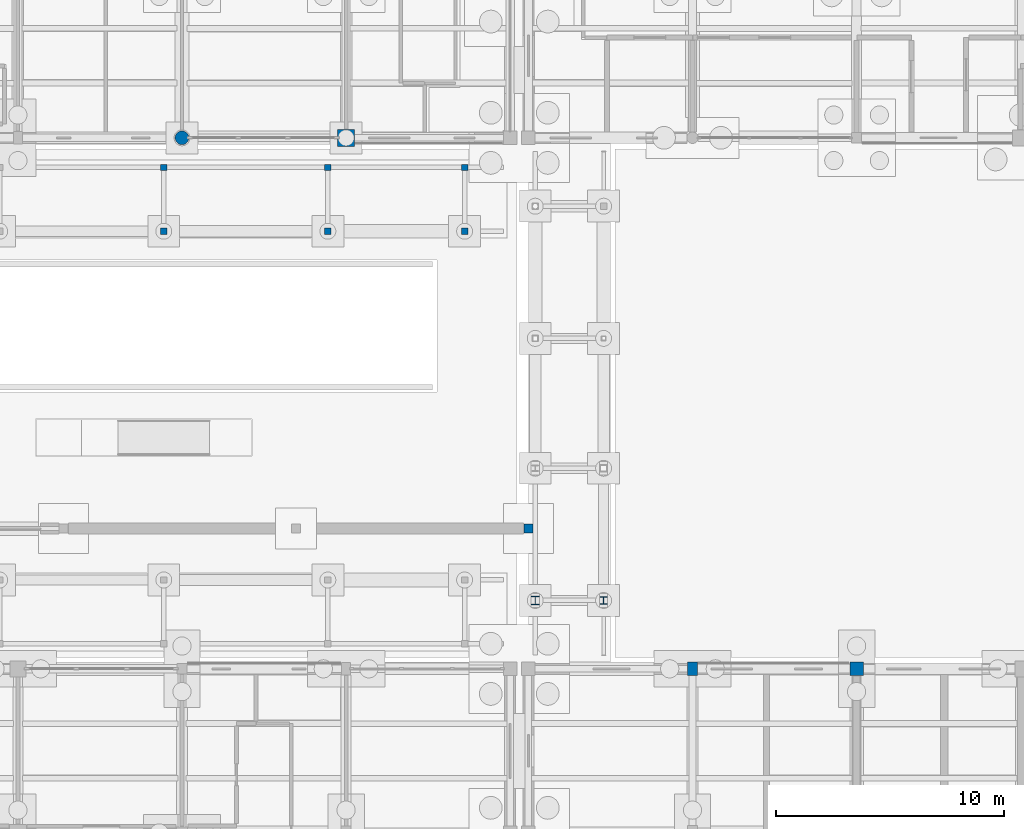
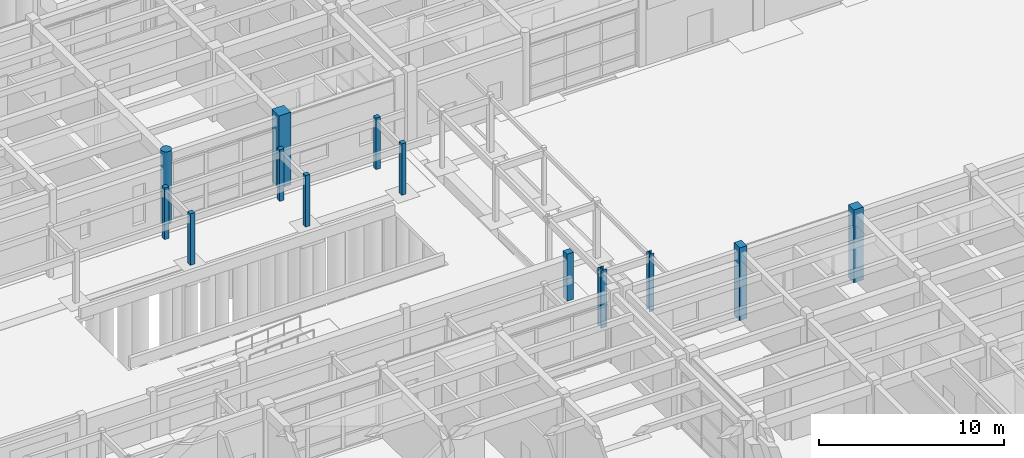
# One storey, part 20 of 143: 13 columns.
"""IFC4 building model written with IfcOpenShell, lengths in metres."""

import ifcopenshell
import ifcopenshell.guid

model = None  # the IFC model being written
_history = None  # IfcOwnerHistory: only IFC2X3 demands one
_inside = {}  # id of a spatial element -> (the spatial element, [elements in it])
_under = {}  # id of a project, library or spatial element -> (it, [spatial elements below it])
_declared = {}  # id of a project -> (the project, [libraries it declares])
_typed = {}  # id of a type object -> (the type object, [elements of that type])
_made_of = {}  # id of a material, layer set ... -> (it, [elements and type objects made of it])


def new_model(schema):
    """Start an empty IFC model of exactly this schema.

    Asked for "IFC4X3", IfcOpenShell would pick the latest addendum, in which some entities
    have other attributes; the version numbers below select the first issue.
    IFC2X3 requires an IfcOwnerHistory on every rooted entity: one is made here for all.
    """
    global model, _history
    if schema == "IFC4X3":
        model = ifcopenshell.file(schema_version=(4, 3, 0, 0))
    else:
        model = ifcopenshell.file(schema=schema)
    _inside.clear()
    _under.clear()
    _declared.clear()
    _typed.clear()
    _made_of.clear()
    _history = None
    if model.schema == "IFC2X3":
        org = make("IfcOrganization", Name="unknown")
        user = make(
            "IfcPersonAndOrganization",
            ThePerson=make("IfcPerson", FamilyName="unknown"),
            TheOrganization=org,
        )
        app = make(
            "IfcApplication",
            ApplicationDeveloper=org,
            Version="unknown",
            ApplicationFullName="unknown",
            ApplicationIdentifier="unknown",
        )
        _history = make(
            "IfcOwnerHistory",
            OwningUser=user,
            OwningApplication=app,
            ChangeAction="ADDED",
            CreationDate=0,
        )
    return model


def make(cls, **values):
    """One entity of the class cls with the attributes given. An attribute that is None is left unset."""
    return model.create_entity(
        cls, **{name: value for name, value in values.items() if value is not None}
    )


def rooted(cls, **values):
    """An entity with a GlobalId (a new one), such as an element, a storey or a relation."""
    return make(cls, GlobalId=ifcopenshell.guid.new(), OwnerHistory=_history, **values)


def si_unit(unit_type, name, prefix=None):
    """IfcSIUnit, for example si_unit("LENGTHUNIT", "METRE", prefix="MILLI")."""
    return make("IfcSIUnit", UnitType=unit_type, Prefix=prefix, Name=name)


def assignment(units):
    """IfcUnitAssignment: the units of a project."""
    return None if units is None else make("IfcUnitAssignment", Units=units)


def point(xyz):
    """IfcCartesianPoint."""
    return None if xyz is None else make("IfcCartesianPoint", Coordinates=xyz)


def direction(xyz):
    """IfcDirection."""
    return None if xyz is None else make("IfcDirection", DirectionRatios=xyz)


def frame(location, z_axis=None, x_axis=None):
    """IfcAxis2Placement3D, a coordinate frame: its origin and axes. An axis left out is left unset."""
    return make(
        "IfcAxis2Placement3D",
        Location=point(location),
        Axis=direction(z_axis),
        RefDirection=direction(x_axis),
    )


def frame_2d(location, x_axis=None):
    """IfcAxis2Placement2D, a coordinate frame in the plane: its origin and x axis."""
    return make(
        "IfcAxis2Placement2D", Location=point(location), RefDirection=direction(x_axis)
    )


def origin():
    """The frame at (0, 0, 0) with its axes left unset."""
    return frame((0.0, 0.0, 0.0))


def origin_2d():
    """The frame at (0, 0) in the plane with its x axis left unset."""
    return frame_2d((0.0, 0.0))


def place(relative_to, where):
    """IfcLocalPlacement: puts the frame where relative to a parent placement (None: the world)."""
    return make(
        "IfcLocalPlacement", PlacementRelTo=relative_to, RelativePlacement=where
    )


def context(
    kind, dimensions, precision=None, world=None, true_north=None, identifier=None
):
    """IfcGeometricRepresentationContext, for example the 3D "Model" context."""
    return make(
        "IfcGeometricRepresentationContext",
        ContextIdentifier=identifier,
        ContextType=kind,
        CoordinateSpaceDimension=dimensions,
        Precision=precision,
        WorldCoordinateSystem=world,
        TrueNorth=true_north,
    )


def subcontext(parent, identifier, kind, view, scale=None):
    """IfcGeometricRepresentationSubContext, for example "Body" below "Model"."""
    return make(
        "IfcGeometricRepresentationSubContext",
        ContextIdentifier=identifier,
        ContextType=kind,
        ParentContext=parent,
        TargetScale=scale,
        TargetView=view,
    )


def project(units=None, contexts=None):
    """IfcProject with its units and contexts."""
    return rooted(
        "IfcProject",
        Name="project",
        RepresentationContexts=contexts,
        UnitsInContext=assignment(units),
    )


def spatial(cls, under=None, at=None, **own):
    """A site, building, storey or space (cls), placed at a placement, below another one or the project."""
    s = rooted(cls, ObjectPlacement=at, **own)
    if under is not None:
        _under.setdefault(under.id(), (under, []))[1].append(s)
    return s


def profile(cls, at=None, kind="AREA", **sizes):
    """A parametric profile (cls). Its sizes go by their IFC names, for example OverallWidth=200.0."""
    return make(cls, ProfileType=kind, Position=at, **sizes)


def rectangle(**sizes):
    """IfcRectangleProfileDef."""
    return profile("IfcRectangleProfileDef", **sizes)


def circle(**sizes):
    """IfcCircleProfileDef."""
    return profile("IfcCircleProfileDef", **sizes)


def i_section(**sizes):
    """IfcIShapeProfileDef."""
    return profile("IfcIShapeProfileDef", **sizes)


def extrude(swept, where, along, depth):
    """IfcExtrudedAreaSolid: the profile swept, set in the frame where, extruded along a direction by depth."""
    return make(
        "IfcExtrudedAreaSolid",
        SweptArea=swept,
        Position=where,
        ExtrudedDirection=direction(along),
        Depth=depth,
    )


def shape(context_of_items, identifier, shape_type, items):
    """IfcShapeRepresentation: the items that make up one representation, for example the "Body"."""
    return make(
        "IfcShapeRepresentation",
        ContextOfItems=context_of_items,
        RepresentationIdentifier=identifier,
        RepresentationType=shape_type,
        Items=items,
    )


def material(Name=None, Category=None):
    """IfcMaterial."""
    return make("IfcMaterial", Name=Name, Category=Category)


def material_profile(
    of_material, cross_section, Name=None, Category=None, Priority=None
):
    """IfcMaterialProfile: a cross section and its material."""
    return make(
        "IfcMaterialProfile",
        Name=Name,
        Material=of_material,
        Profile=cross_section,
        Priority=Priority,
        Category=Category,
    )


def profile_set(profiles, Name=None, composite=None):
    """IfcMaterialProfileSet."""
    return make(
        "IfcMaterialProfileSet",
        Name=Name,
        MaterialProfiles=profiles,
        CompositeProfile=composite,
    )


def made_of(thing, what):
    """Note that an element or type object is made of a material, layer set ...; save() writes the relation."""
    if what is not None:
        _made_of.setdefault(what.id(), (what, []))[1].append(thing)
    return thing


def type_object(cls, material=None, **own):
    """A type object (cls), such as IfcWallType, which elements share."""
    return made_of(rooted(cls, **own), material)


def element(
    cls,
    number,
    at=None,
    inside=None,
    cuts=None,
    type_object=None,
    material=None,
    context=None,
    identifier="Body",
    shape_type=None,
    held_by="IfcProductDefinitionShape",
    body=None,
    shapes=None,
    **own,
):
    """One element of the class cls, such as IfcWall. Its Tag is "e" and its number.

    at: its placement. inside: the storey or other place that contains it. cuts: it is an
    opening in that element (IfcRelVoidsElement). A single representation is given by context,
    identifier, shape_type and body (its items); several are given by shapes. held_by: the class
    of the entity that holds the representations. save() writes the other relations.
    """
    e = rooted(cls, Tag="e%d" % number, ObjectPlacement=at, **own)
    if body is not None:
        shapes = [shape(context, identifier, shape_type, body)]
    if shapes is not None:
        e.Representation = make(held_by, Representations=shapes)
    if inside is not None:
        _inside.setdefault(inside.id(), (inside, []))[1].append(e)
    if cuts is not None:
        rooted(
            "IfcRelVoidsElement", RelatingBuildingElement=cuts, RelatedOpeningElement=e
        )
    if type_object is not None:
        _typed.setdefault(type_object.id(), (type_object, []))[1].append(e)
    return made_of(e, material)


def aggregate(whole, parts):
    """IfcRelAggregates: a whole, such as a stair, and the parts it consists of."""
    return rooted("IfcRelAggregates", RelatingObject=whole, RelatedObjects=parts)


def save(model, path):
    """Write the relations noted so far, then the file.

    IfcRelAggregates (storeys below a building ...), IfcRelContainedInSpatialStructure (elements
    in a storey), IfcRelDefinesByType, IfcRelAssociatesMaterial and IfcRelDeclares: one each for
    every whole, place, type object, material and project.
    """
    for whole, parts in _under.values():
        aggregate(whole, parts)
    for where, things in _inside.values():
        rooted(
            "IfcRelContainedInSpatialStructure",
            RelatedElements=things,
            RelatingStructure=where,
        )
    for kind, things in _typed.values():
        rooted("IfcRelDefinesByType", RelatedObjects=things, RelatingType=kind)
    for what, things in _made_of.values():
        rooted("IfcRelAssociatesMaterial", RelatedObjects=things, RelatingMaterial=what)
    for by, libraries in _declared.values():
        rooted("IfcRelDeclares", RelatingContext=by, RelatedDefinitions=libraries)
    model.write(path)


model = new_model("IFC4")

# Units and contexts
model_context = context("Model", 3, precision=1e-05, world=origin(), true_north=direction((0.0, 1.0)))
body_context = subcontext(model_context, "Body", "Model", "MODEL_VIEW")
ifc_project = project(units=[si_unit("LENGTHUNIT", "METRE"), si_unit("AREAUNIT", "SQUARE_METRE"), si_unit("VOLUMEUNIT", "CUBIC_METRE"), si_unit("PLANEANGLEUNIT", "RADIAN"), si_unit("MASSUNIT", "GRAM", prefix="KILO")], contexts=[model_context])

# Site, building, storey
site_placement = place(None, origin())
site = spatial("IfcSite", under=ifc_project, at=site_placement, CompositionType="ELEMENT")
building_placement = place(site_placement, origin())
building = spatial("IfcBuilding", under=site, at=building_placement, Name="Steenspoor Specialist Clinic", CompositionType="ELEMENT")
storey_placement = place(building_placement, origin())
storey = spatial("IfcBuildingStorey", under=building, at=storey_placement, Name="L00", CompositionType="ELEMENT", Elevation=0.0)

# Columns
ifc_material_1 = material(Name="Glulam GL28h", Category="wood")
ifc_material_profile_1 = material_profile(ifc_material_1, rectangle(XDim=0.280029296875, YDim=0.280029296875, at=origin_2d()), Name="GL28H-280X280")
ifc_profile_set_1 = profile_set([ifc_material_profile_1], Name="Glulam GL28h")
column_type_1 = type_object("IfcColumnType", Name="COL-GL-280", PredefinedType="COLUMN", material=ifc_profile_set_1)
for number, where, z_axis, x_axis, name in (
    (1, (102.0, 61.050048828125, 0.0), (0.0, 0.0, 1.0), (1.0, 0.0, 0.0), "Walkway Colonnade Post COL-L00-0876"),
    (2, (102.0, 63.85009765625, 0.0), (0.0, 0.0, 1.0), (1.0, 0.0, 0.0), "Walkway Colonnade Post COL-L00-0877"),
    (3, (109.199951171875, 61.050048828125, 0.0), (0.0, 0.0, 1.0), (1.0, 0.0, 0.0), "Walkway Colonnade Post COL-L00-0878"),
    (4, (109.199951171875, 63.85009765625, 0.0), (0.0, 0.0, 1.0), (1.0, 0.0, 0.0), "Walkway Colonnade Post COL-L00-0879"),
    (5, (115.199951171875, 61.050048828125, 0.0), (0.0, 0.0, 1.0), (1.0, 0.0, 0.0), "Walkway Colonnade Post COL-L00-0880"),
    (6, (115.199951171875, 63.85009765625, 0.0), (0.0, 0.0, 1.0), (1.0, 0.0, 0.0), "Walkway Colonnade Post COL-L00-0881"),
):
    element("IfcColumn", number, at=place(storey_placement, frame(where, z_axis=z_axis, x_axis=x_axis)), inside=storey, type_object=column_type_1, Name=name, PredefinedType="COLUMN", context=body_context, shape_type="SweptSolid", body=[
        extrude(rectangle(XDim=0.280029296875, YDim=0.280029296875, at=origin_2d()), origin(), (0.0, 0.0, 1.0), 3.39990234375),
    ])
ifc_material_2 = material(Name="Concrete C40/50", Category="concrete")
ifc_material_profile_2 = material_profile(ifc_material_2, rectangle(XDim=0.39990234375, YDim=0.39990234375, at=origin_2d()), Name="RC-COL-400X400")
ifc_profile_set_2 = profile_set([ifc_material_profile_2], Name="Concrete C40/50")
column_type_2 = type_object("IfcColumnType", Name="COL-RC-400", PredefinedType="COLUMN", material=ifc_profile_set_2)
column_1_placement = place(storey_placement, frame((118.0, 48.0, 0.0), z_axis=(0.0, 0.0, 1.0), x_axis=(1.0, 0.0, 0.0)))
element("IfcColumn", 7, at=column_1_placement, inside=storey, type_object=column_type_2, Name="Campus Screen Wall Pier 21", PredefinedType="COLUMN", context=body_context, shape_type="SweptSolid", body=[
    extrude(rectangle(XDim=0.39990234375, YDim=0.39990234375, at=origin_2d()), origin(), (0.0, 0.0, 1.0), 3.10009765625),
])
ifc_material_profile_3 = material_profile(ifc_material_2, rectangle(XDim=0.449951171875, YDim=0.60009765625, at=origin_2d()), Name="RC-COL-450X600")
ifc_profile_set_3 = profile_set([ifc_material_profile_3], Name="Concrete C40/50")
column_type_3 = type_object("IfcColumnType", Name="COL-RC-450X600", PredefinedType="COLUMN", material=ifc_profile_set_3)
column_2_placement = place(storey_placement, frame((125.199951171875, 41.85009765625, 0.0), z_axis=(0.0, 0.0, 1.0), x_axis=(1.0, 0.0, 0.0)))
element("IfcColumn", 8, at=column_2_placement, inside=storey, type_object=column_type_3, Name="Column COL-L00-0112", PredefinedType="COLUMN", context=body_context, shape_type="SweptSolid", body=[
    extrude(rectangle(XDim=0.449951171875, YDim=0.60009765625, at=origin_2d()), origin(), (0.0, 0.0, 1.0), 4.800048828125),
])
ifc_material_profile_4 = material_profile(ifc_material_2, rectangle(XDim=0.60009765625, YDim=0.60009765625, at=origin_2d()), Name="RC-COL-600X600")
ifc_profile_set_4 = profile_set([ifc_material_profile_4], Name="Concrete C40/50")
column_type_4 = type_object("IfcColumnType", Name="COL-RC-600", PredefinedType="COLUMN", material=ifc_profile_set_4)
column_3_placement = place(storey_placement, frame((132.39990234375, 41.85009765625, 0.0), z_axis=(0.0, 0.0, 1.0), x_axis=(1.0, 0.0, 0.0)))
element("IfcColumn", 9, at=column_3_placement, inside=storey, type_object=column_type_4, Name="Column COL-L00-0122", PredefinedType="COLUMN", context=body_context, shape_type="SweptSolid", body=[
    extrude(rectangle(XDim=0.60009765625, YDim=0.60009765625, at=origin_2d()), origin(), (0.0, 0.0, 1.0), 4.800048828125),
])
ifc_material_profile_5 = material_profile(ifc_material_2, rectangle(XDim=0.75, YDim=0.75, at=origin_2d()), Name="RC-COL-750X750")
ifc_profile_set_5 = profile_set([ifc_material_profile_5], Name="Concrete C40/50")
column_type_5 = type_object("IfcColumnType", Name="COL-RC-750", PredefinedType="COLUMN", material=ifc_profile_set_5)
column_4_placement = place(storey_placement, frame((110.0, 65.14990234375, 0.0), z_axis=(0.0, 0.0, 1.0), x_axis=(1.0, 0.0, 0.0)))
element("IfcColumn", 10, at=column_4_placement, inside=storey, type_object=column_type_5, Name="Column COL-L00-0446", PredefinedType="COLUMN", context=body_context, shape_type="SweptSolid", body=[
    extrude(rectangle(XDim=0.75, YDim=0.75, at=origin_2d()), origin(), (0.0, 0.0, 1.0), 4.800048828125),
])
ifc_material_profile_6 = material_profile(ifc_material_2, circle(Radius=0.300048828125, at=origin_2d()), Name="RC-COL-D600")
ifc_profile_set_6 = profile_set([ifc_material_profile_6], Name="Concrete C40/50")
column_type_6 = type_object("IfcColumnType", Name="COL-RC-D600", PredefinedType="COLUMN", material=ifc_profile_set_6)
column_5_placement = place(storey_placement, frame((102.800048828125, 65.14990234375, 0.0), z_axis=(0.0, 0.0, 1.0), x_axis=(1.0, 0.0, 0.0)))
element("IfcColumn", 11, at=column_5_placement, inside=storey, type_object=column_type_6, Name="Column COL-L00-0417", PredefinedType="COLUMN", context=body_context, shape_type="SweptSolid", body=[
    extrude(circle(Radius=0.300048828125, at=origin_2d()), origin(), (0.0, 0.0, 1.0), 4.800048828125),
])
ifc_material_3 = material(Name="Steel A992 Grade 50", Category="steel")
ifc_material_profile_7 = material_profile(ifc_material_3, i_section(OverallWidth=0.306884765625, OverallDepth=0.31396484375, WebThickness=0.010986328125, FlangeThickness=0.018798828125, at=origin_2d()), Name="W310X117")
ifc_profile_set_7 = profile_set([ifc_material_profile_7], Name="Steel A992 Grade 50")
column_type_7 = type_object("IfcColumnType", Name="COL-ST-W310X117", PredefinedType="COLUMN", material=ifc_profile_set_7)
column_6_placement = place(storey_placement, frame((121.300048828125, 44.85009765625, 0.0), z_axis=(0.0, 0.0, 1.0), x_axis=(1.0, 0.0, 0.0)))
element("IfcColumn", 12, at=column_6_placement, inside=storey, type_object=column_type_7, Name="Walkway Colonnade Post COL-L00-0853", PredefinedType="COLUMN", context=body_context, shape_type="SweptSolid", body=[
    extrude(i_section(OverallWidth=0.306884765625, OverallDepth=0.31396484375, WebThickness=0.010986328125, FlangeThickness=0.018798828125, at=origin_2d()), origin(), (0.0, 0.0, 1.0), 3.800048828125),
])
ifc_material_profile_8 = material_profile(ifc_material_3, i_section(OverallWidth=0.368896484375, OverallDepth=0.35595703125, WebThickness=0.01123046875, FlangeThickness=0.01806640625, at=origin_2d()), Name="W360X134")
ifc_profile_set_8 = profile_set([ifc_material_profile_8], Name="Steel A992 Grade 50")
column_type_8 = type_object("IfcColumnType", Name="COL-ST-W360X134", PredefinedType="COLUMN", material=ifc_profile_set_8)
column_7_placement = place(storey_placement, frame((118.300048828125, 44.85009765625, 0.0), z_axis=(0.0, 0.0, 1.0), x_axis=(1.0, 0.0, 0.0)))
element("IfcColumn", 13, at=column_7_placement, inside=storey, type_object=column_type_8, Name="Walkway Colonnade Post COL-L00-0852", PredefinedType="COLUMN", context=body_context, shape_type="SweptSolid", body=[
    extrude(i_section(OverallWidth=0.368896484375, OverallDepth=0.35595703125, WebThickness=0.01123046875, FlangeThickness=0.01806640625, at=origin_2d()), origin(), (0.0, 0.0, 1.0), 3.800048828125),
])

save(model, "model.ifc")
